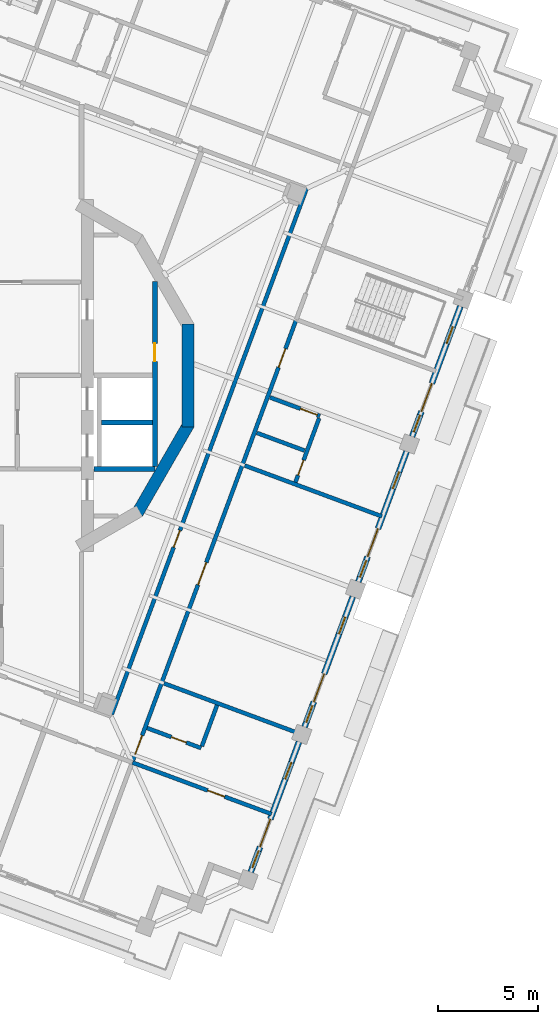
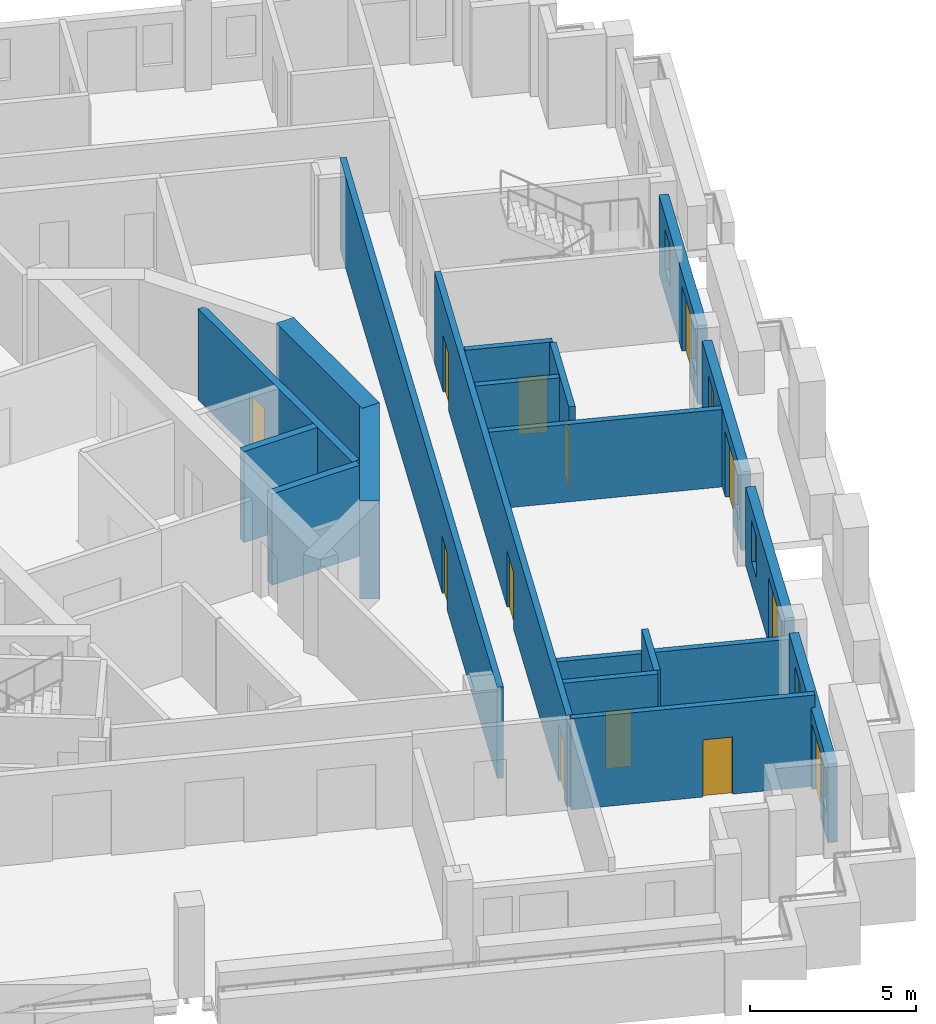
# One storey, part 6 of 18: 19 walls, 13 doors, 8 windows, 21 openings.
"""IFC4 building model written with IfcOpenShell, lengths in metres."""

from ifc_helpers import new_model, si_unit, direction, frame, frame_2d, origin, place, context, subcontext, project, spatial, rectangle, extrude, material, layer, layer_set, type_object, element, fill, save


model = new_model("IFC4")

# Units and contexts
model_context = context("Model", 3, precision=1e-05, world=origin(), true_north=direction((0.0, 1.0)))
body_context = subcontext(model_context, "Body", "Model", "MODEL_VIEW")
ifc_project = project(units=[si_unit("LENGTHUNIT", "METRE"), si_unit("AREAUNIT", "SQUARE_METRE"), si_unit("VOLUMEUNIT", "CUBIC_METRE"), si_unit("PLANEANGLEUNIT", "RADIAN"), si_unit("MASSUNIT", "GRAM", prefix="KILO")], contexts=[model_context])

# Site, building, storey
site_placement = place(None, origin())
site = spatial("IfcSite", under=ifc_project, at=site_placement, CompositionType="ELEMENT")
building_placement = place(site_placement, origin())
building = spatial("IfcBuilding", under=site, at=building_placement, Name="Cantera Rosa Tower", CompositionType="ELEMENT")
storey_placement = place(building_placement, frame((0.0, 0.0, 316.89990234375)))
storey = spatial("IfcBuildingStorey", under=building, at=storey_placement, Name="L70", CompositionType="ELEMENT", Elevation=316.89990234375)

# Wall, opening, door
ifc_material_1 = material(Name="Gypsum board partition")
ifc_layer_1 = layer(ifc_material_1, 0.199951171875)
ifc_layer_set_1 = layer_set([ifc_layer_1], Name="CORRIDOR WALL 200 H3350")
wall_type_1 = type_object("IfcWallType", Name="CORRIDOR WALL 200 H3350", PredefinedType="PARTITIONING", material=ifc_layer_set_1)
wall_1_placement = place(storey_placement, frame((5.526123046875, -17.031494140625, 0.0), z_axis=(0.0, 0.0, 1.0), x_axis=(0.347486069264, 0.937685145274, 0.0)))
wall_1 = element("IfcWall", 1, at=wall_1_placement, inside=storey, type_object=wall_type_1, Name="CORRIDOR WALL L70-074", PredefinedType="PARTITIONING", context=body_context, shape_type="SweptSolid", body=[
    extrude(rectangle(XDim=28.199951171875, YDim=0.199951171875, at=frame_2d((14.10009765625, 0.0))), origin(), (0.0, 0.0, 1.0), 3.35009765625),
])
opening_1_placement = place(wall_1_placement, frame((8.96240234375, 0.0, 0.0)))
opening_1 = element("IfcOpeningElement", 2, at=opening_1_placement, cuts=wall_1, Name="Opening L70-007", PredefinedType="OPENING", context=body_context, shape_type="SweptSolid", body=[
    extrude(rectangle(XDim=0.89990234375, YDim=2.10009765625, at=frame_2d((0.449951171875, 1.050048828125))), frame((0.0, 0.10986328125, 0.0), z_axis=(0.0, -1.0, 0.0), x_axis=(1.0, 0.0, 0.0)), (0.0, 0.0, 1.0), 0.219970703125),
])
ifc_material_2 = material(Name="Timber door leaf", Category="wood")
door_type_1 = type_object("IfcDoorType", Name="SERVICE DOOR 900x2100", OperationType="NOTDEFINED", PredefinedType="DOOR", material=ifc_material_2)
door_1_placement = place(opening_1_placement, origin())
door_1 = element("IfcDoor", 3, at=door_1_placement, inside=storey, type_object=door_type_1, Name="DOOR L70-007", OperationType="NOTDEFINED", OverallHeight=2.10009765625, OverallWidth=0.89990234375, PredefinedType="DOOR", context=body_context, shape_type="SweptSolid", body=[
    extrude(rectangle(XDim=0.89990234375, YDim=2.10009765625, at=frame_2d((0.449951171875, 1.050048828125))), frame((0.0, 0.02490234375, 0.0), z_axis=(0.0, -1.0, 0.0), x_axis=(1.0, 0.0, 0.0)), (0.0, 0.0, 1.0), 0.050048828125),
])
fill(opening_1, door_1)

# Wall, openings, doors
wall_2_placement = place(storey_placement, frame((6.588623046875, -19.3447265625, 0.0), z_axis=(0.0, 0.0, 1.0), x_axis=(0.347480582136, 0.937687178668, 0.0)))
wall_2 = element("IfcWall", 4, at=wall_2_placement, inside=storey, type_object=wall_type_1, Name="CORRIDOR WALL L70-079", PredefinedType="PARTITIONING", context=body_context, shape_type="SweptSolid", body=[
    extrude(rectangle(XDim=23.6298828125, YDim=0.199951171875, at=frame_2d((11.81494140625, 0.0))), origin(), (0.0, 0.0, 1.0), 3.35009765625),
])
opening_2_placement = place(wall_2_placement, frame((9.4150390625, 0.0, 0.0)))
opening_2 = element("IfcOpeningElement", 5, at=opening_2_placement, cuts=wall_2, Name="Opening L70-039", PredefinedType="OPENING", context=body_context, shape_type="SweptSolid", body=[
    extrude(rectangle(XDim=1.199951171875, YDim=2.10009765625, at=frame_2d((0.60009765625, 1.050048828125))), frame((0.0, 0.10986328125, 0.0), z_axis=(0.0, -1.0, 0.0), x_axis=(1.0, 0.0, 0.0)), (0.0, 0.0, 1.0), 0.219970703125),
])
opening_3_placement = place(wall_2_placement, frame((21.06494140625, 0.0, 0.0)))
opening_3 = element("IfcOpeningElement", 6, at=opening_3_placement, cuts=wall_2, Name="Opening L70-040", PredefinedType="OPENING", context=body_context, shape_type="SweptSolid", body=[
    extrude(rectangle(XDim=1.0, YDim=2.10009765625, at=frame_2d((0.5, 1.050048828125))), frame((0.0, 0.10986328125, 0.0), z_axis=(0.0, -1.0, 0.0), x_axis=(1.0, 0.0, 0.0)), (0.0, 0.0, 1.0), 0.219970703125),
])
opening_4_placement = place(wall_2_placement, frame((0.340087890625, 0.0, 0.0)))
opening_4 = element("IfcOpeningElement", 7, at=opening_4_placement, cuts=wall_2, Name="Opening L70-043", PredefinedType="OPENING", context=body_context, shape_type="SweptSolid", body=[
    extrude(rectangle(XDim=1.0, YDim=2.10009765625, at=frame_2d((0.5, 1.050048828125))), frame((0.0, 0.10986328125, 0.0), z_axis=(0.0, -1.0, 0.0), x_axis=(1.0, 0.0, 0.0)), (0.0, 0.0, 1.0), 0.219970703125),
])
ifc_material_3 = material(Name="Timber door leaf", Category="wood")
door_type_2 = type_object("IfcDoorType", Name="ENTRANCE DOOR 1000x2100", OperationType="NOTDEFINED", PredefinedType="DOOR", material=ifc_material_3)
door_2_placement = place(opening_3_placement, origin())
door_2 = element("IfcDoor", 8, at=door_2_placement, inside=storey, type_object=door_type_2, Name="DOOR L70-040", OperationType="NOTDEFINED", OverallHeight=2.10009765625, OverallWidth=1.0, PredefinedType="DOOR", context=body_context, shape_type="SweptSolid", body=[
    extrude(rectangle(XDim=1.0, YDim=2.10009765625, at=frame_2d((0.5, 1.050048828125))), frame((0.0, 0.02490234375, 0.0), z_axis=(0.0, -1.0, 0.0), x_axis=(1.0, 0.0, 0.0)), (0.0, 0.0, 1.0), 0.050048828125),
])
fill(opening_3, door_2)
door_3_placement = place(opening_4_placement, origin())
door_3 = element("IfcDoor", 9, at=door_3_placement, inside=storey, type_object=door_type_2, Name="DOOR L70-043", OperationType="NOTDEFINED", OverallHeight=2.10009765625, OverallWidth=1.0, PredefinedType="DOOR", context=body_context, shape_type="SweptSolid", body=[
    extrude(rectangle(XDim=1.0, YDim=2.10009765625, at=frame_2d((0.5, 1.050048828125))), frame((0.0, 0.02490234375, 0.0), z_axis=(0.0, -1.0, 0.0), x_axis=(1.0, 0.0, 0.0)), (0.0, 0.0, 1.0), 0.050048828125),
])
fill(opening_4, door_3)
ifc_material_4 = material(Name="Timber door leaf", Category="wood")
door_type_3 = type_object("IfcDoorType", Name="ROOM DOOR 1200x2100", OperationType="NOTDEFINED", PredefinedType="DOOR", material=ifc_material_4)
door_4_placement = place(opening_2_placement, origin())
door_4 = element("IfcDoor", 10, at=door_4_placement, inside=storey, type_object=door_type_3, Name="DOOR L70-039", OperationType="NOTDEFINED", OverallHeight=2.10009765625, OverallWidth=1.199951171875, PredefinedType="DOOR", context=body_context, shape_type="SweptSolid", body=[
    extrude(rectangle(XDim=1.199951171875, YDim=2.10009765625, at=frame_2d((0.60009765625, 1.050048828125))), frame((0.0, 0.02490234375, 0.0), z_axis=(0.0, -1.0, 0.0), x_axis=(1.0, 0.0, 0.0)), (0.0, 0.0, 1.0), 0.050048828125),
])
fill(opening_2, door_4)

# Wall, openings, windows, door
ifc_material_5 = material(Name="Hollow clay masonry with cantera stone cladding", Category="masonry")
ifc_layer_2 = layer(ifc_material_5, 0.300048828125)
ifc_layer_set_2 = layer_set([ifc_layer_2], Name="EW-LOGGIA 300 H2890")
wall_type_2 = type_object("IfcWallType", Name="EW-LOGGIA 300 H2890", PredefinedType="SOLIDWALL", material=ifc_layer_set_2)
wall_3_placement = place(storey_placement, frame((12.50927734375, -24.95166015625, 0.0), z_axis=(0.0, 0.0, 1.0), x_axis=(0.347490919506, 0.937683347864, 0.0)))
wall_3 = element("IfcWall", 11, at=wall_3_placement, inside=storey, type_object=wall_type_2, Name="EN-L70-W20", PredefinedType="SOLIDWALL", context=body_context, shape_type="SweptSolid", body=[
    extrude(rectangle(XDim=6.980224609375, YDim=0.300048828125, at=frame_2d((3.490234375, 0.0))), origin(), (0.0, 0.0, 1.0), 2.89013671875),
])
opening_5_placement = place(wall_3_placement, frame((0.2451171875, 0.0, 0.89990234375)))
opening_5 = element("IfcOpeningElement", 12, at=opening_5_placement, cuts=wall_3, Name="Opening L70-W34", PredefinedType="OPENING", context=body_context, shape_type="SweptSolid", body=[
    extrude(rectangle(XDim=0.89990234375, YDim=1.5, at=frame_2d((0.449951171875, 0.75))), frame((0.0, 0.159912109375, 0.0), z_axis=(0.0, -1.0, 0.0), x_axis=(1.0, 0.0, 0.0)), (0.0, 0.0, 1.0), 0.320068359375),
])
opening_6_placement = place(wall_3_placement, frame((1.344970703125, 0.0, 0.0)))
opening_6 = element("IfcOpeningElement", 13, at=opening_6_placement, cuts=wall_3, Name="Opening L70-TD35", PredefinedType="OPENING", context=body_context, shape_type="SweptSolid", body=[
    extrude(rectangle(XDim=1.5, YDim=2.39990234375, at=frame_2d((0.75, 1.199951171875))), frame((0.0, 0.159912109375, 0.0), z_axis=(0.0, -1.0, 0.0), x_axis=(1.0, 0.0, 0.0)), (0.0, 0.0, 1.0), 0.320068359375),
])
opening_7_placement = place(wall_3_placement, frame((4.985107421875, 0.0, 0.89990234375)))
opening_7 = element("IfcOpeningElement", 14, at=opening_7_placement, cuts=wall_3, Name="Opening L70-W36", PredefinedType="OPENING", context=body_context, shape_type="SweptSolid", body=[
    extrude(rectangle(XDim=0.89990234375, YDim=1.5, at=frame_2d((0.449951171875, 0.75))), frame((0.0, 0.159912109375, 0.0), z_axis=(0.0, -1.0, 0.0), x_axis=(1.0, 0.0, 0.0)), (0.0, 0.0, 1.0), 0.320068359375),
])
ifc_material_6 = material(Name="Aluminium frame with clear glass", Category="aluminium")
window_type = type_object("IfcWindowType", Name="Residential window 900x1500", PartitioningType="SINGLE_PANEL", PredefinedType="WINDOW", material=ifc_material_6)
window_1_placement = place(opening_5_placement, origin())
window_1 = element("IfcWindow", 15, at=window_1_placement, inside=storey, type_object=window_type, Name="WINDOW L70-W34", OverallHeight=1.5, OverallWidth=0.89990234375, PartitioningType="SINGLE_PANEL", PredefinedType="WINDOW", context=body_context, shape_type="SweptSolid", body=[
    extrude(rectangle(XDim=0.89990234375, YDim=1.5, at=frame_2d((0.449951171875, 0.75))), frame((0.0, 0.030029296875, 0.0), z_axis=(0.0, -1.0, 0.0), x_axis=(1.0, 0.0, 0.0)), (0.0, 0.0, 1.0), 0.06005859375),
])
fill(opening_5, window_1)
window_2_placement = place(opening_7_placement, origin())
window_2 = element("IfcWindow", 16, at=window_2_placement, inside=storey, type_object=window_type, Name="WINDOW L70-W36", OverallHeight=1.5, OverallWidth=0.89990234375, PartitioningType="SINGLE_PANEL", PredefinedType="WINDOW", context=body_context, shape_type="SweptSolid", body=[
    extrude(rectangle(XDim=0.89990234375, YDim=1.5, at=frame_2d((0.449951171875, 0.75))), frame((0.0, 0.030029296875, 0.0), z_axis=(0.0, -1.0, 0.0), x_axis=(1.0, 0.0, 0.0)), (0.0, 0.0, 1.0), 0.06005859375),
])
fill(opening_7, window_2)
ifc_material_7 = material(Name="Aluminium frame with clear glass", Category="aluminium")
door_type_4 = type_object("IfcDoorType", Name="TD-R 1500x2400", OperationType="NOTDEFINED", PredefinedType="DOOR", material=ifc_material_7)
door_5_placement = place(opening_6_placement, origin())
door_5 = element("IfcDoor", 17, at=door_5_placement, inside=storey, type_object=door_type_4, Name="LOGGIA DOOR L70-TD35", OperationType="SLIDING_TO_LEFT", OverallHeight=2.39990234375, OverallWidth=1.5, PredefinedType="DOOR", context=body_context, shape_type="SweptSolid", body=[
    extrude(rectangle(XDim=1.5, YDim=2.39990234375, at=frame_2d((0.75, 1.199951171875))), frame((0.0, 0.02490234375, 0.0), z_axis=(0.0, -1.0, 0.0), x_axis=(1.0, 0.0, 0.0)), (0.0, 0.0, 1.0), 0.050048828125),
])
fill(opening_6, door_5)

wall_4_placement = place(storey_placement, frame((15.212646484375, -17.65625, 0.0), z_axis=(0.0, 0.0, 1.0), x_axis=(0.347502316452, 0.937679124253, 0.0)))
wall_4 = element("IfcWall", 18, at=wall_4_placement, inside=storey, type_object=wall_type_2, Name="EN-L70-W21", PredefinedType="SOLIDWALL", context=body_context, shape_type="SweptSolid", body=[
    extrude(rectangle(XDim=6.97998046875, YDim=0.300048828125, at=frame_2d((3.489990234375, 0.0))), origin(), (0.0, 0.0, 1.0), 2.89013671875),
])
opening_8_placement = place(wall_4_placement, frame((0.2451171875, 0.0, 0.89990234375)))
opening_8 = element("IfcOpeningElement", 19, at=opening_8_placement, cuts=wall_4, Name="Opening L70-W37", PredefinedType="OPENING", context=body_context, shape_type="SweptSolid", body=[
    extrude(rectangle(XDim=0.89990234375, YDim=1.5, at=frame_2d((0.449951171875, 0.75))), frame((0.0, 0.159912109375, 0.0), z_axis=(0.0, -1.0, 0.0), x_axis=(1.0, 0.0, 0.0)), (0.0, 0.0, 1.0), 0.320068359375),
])
opening_9_placement = place(wall_4_placement, frame((1.344970703125, 0.0, 0.0)))
opening_9 = element("IfcOpeningElement", 20, at=opening_9_placement, cuts=wall_4, Name="Opening L70-TD38", PredefinedType="OPENING", context=body_context, shape_type="SweptSolid", body=[
    extrude(rectangle(XDim=1.5, YDim=2.39990234375, at=frame_2d((0.75, 1.199951171875))), frame((0.0, 0.159912109375, 0.0), z_axis=(0.0, -1.0, 0.0), x_axis=(1.0, 0.0, 0.0)), (0.0, 0.0, 1.0), 0.320068359375),
])
opening_10_placement = place(wall_4_placement, frame((4.985107421875, 0.0, 0.89990234375)))
opening_10 = element("IfcOpeningElement", 21, at=opening_10_placement, cuts=wall_4, Name="Opening L70-W39", PredefinedType="OPENING", context=body_context, shape_type="SweptSolid", body=[
    extrude(rectangle(XDim=0.89990234375, YDim=1.5, at=frame_2d((0.449951171875, 0.75))), frame((0.0, 0.159912109375, 0.0), z_axis=(0.0, -1.0, 0.0), x_axis=(1.0, 0.0, 0.0)), (0.0, 0.0, 1.0), 0.320068359375),
])
window_3_placement = place(opening_8_placement, origin())
window_3 = element("IfcWindow", 22, at=window_3_placement, inside=storey, type_object=window_type, Name="WINDOW L70-W37", OverallHeight=1.5, OverallWidth=0.89990234375, PartitioningType="SINGLE_PANEL", PredefinedType="WINDOW", context=body_context, shape_type="SweptSolid", body=[
    extrude(rectangle(XDim=0.89990234375, YDim=1.5, at=frame_2d((0.449951171875, 0.75))), frame((0.0, 0.030029296875, 0.0), z_axis=(0.0, -1.0, 0.0), x_axis=(1.0, 0.0, 0.0)), (0.0, 0.0, 1.0), 0.06005859375),
])
fill(opening_8, window_3)
window_4_placement = place(opening_10_placement, origin())
window_4 = element("IfcWindow", 23, at=window_4_placement, inside=storey, type_object=window_type, Name="WINDOW L70-W39", OverallHeight=1.5, OverallWidth=0.89990234375, PartitioningType="SINGLE_PANEL", PredefinedType="WINDOW", context=body_context, shape_type="SweptSolid", body=[
    extrude(rectangle(XDim=0.89990234375, YDim=1.5, at=frame_2d((0.449951171875, 0.75))), frame((0.0, 0.030029296875, 0.0), z_axis=(0.0, -1.0, 0.0), x_axis=(1.0, 0.0, 0.0)), (0.0, 0.0, 1.0), 0.06005859375),
])
fill(opening_10, window_4)
door_6_placement = place(opening_9_placement, origin())
door_6 = element("IfcDoor", 24, at=door_6_placement, inside=storey, type_object=door_type_4, Name="LOGGIA DOOR L70-TD38", OperationType="SLIDING_TO_LEFT", OverallHeight=2.39990234375, OverallWidth=1.5, PredefinedType="DOOR", context=body_context, shape_type="SweptSolid", body=[
    extrude(rectangle(XDim=1.5, YDim=2.39990234375, at=frame_2d((0.75, 1.199951171875))), frame((0.0, 0.02490234375, 0.0), z_axis=(0.0, -1.0, 0.0), x_axis=(1.0, 0.0, 0.0)), (0.0, 0.0, 1.0), 0.050048828125),
])
fill(opening_9, door_6)

wall_5_placement = place(storey_placement, frame((17.916015625, -10.361083984375, 0.0), z_axis=(0.0, 0.0, 1.0), x_axis=(0.347502316452, 0.937679124253, 0.0)))
wall_5 = element("IfcWall", 25, at=wall_5_placement, inside=storey, type_object=wall_type_2, Name="EN-L70-W22", PredefinedType="SOLIDWALL", context=body_context, shape_type="SweptSolid", body=[
    extrude(rectangle(XDim=6.97998046875, YDim=0.300048828125, at=frame_2d((3.489990234375, 0.0))), origin(), (0.0, 0.0, 1.0), 2.89013671875),
])
opening_11_placement = place(wall_5_placement, frame((0.2451171875, 0.0, 0.89990234375)))
opening_11 = element("IfcOpeningElement", 26, at=opening_11_placement, cuts=wall_5, Name="Opening L70-W40", PredefinedType="OPENING", context=body_context, shape_type="SweptSolid", body=[
    extrude(rectangle(XDim=0.89990234375, YDim=1.5, at=frame_2d((0.449951171875, 0.75))), frame((0.0, 0.159912109375, 0.0), z_axis=(0.0, -1.0, 0.0), x_axis=(1.0, 0.0, 0.0)), (0.0, 0.0, 1.0), 0.320068359375),
])
opening_12_placement = place(wall_5_placement, frame((1.344970703125, 0.0, 0.0)))
opening_12 = element("IfcOpeningElement", 27, at=opening_12_placement, cuts=wall_5, Name="Opening L70-TD41", PredefinedType="OPENING", context=body_context, shape_type="SweptSolid", body=[
    extrude(rectangle(XDim=1.5, YDim=2.39990234375, at=frame_2d((0.75, 1.199951171875))), frame((0.0, 0.159912109375, 0.0), z_axis=(0.0, -1.0, 0.0), x_axis=(1.0, 0.0, 0.0)), (0.0, 0.0, 1.0), 0.320068359375),
])
opening_13_placement = place(wall_5_placement, frame((4.985107421875, 0.0, 0.89990234375)))
opening_13 = element("IfcOpeningElement", 28, at=opening_13_placement, cuts=wall_5, Name="Opening L70-W42", PredefinedType="OPENING", context=body_context, shape_type="SweptSolid", body=[
    extrude(rectangle(XDim=0.89990234375, YDim=1.5, at=frame_2d((0.449951171875, 0.75))), frame((0.0, 0.159912109375, 0.0), z_axis=(0.0, -1.0, 0.0), x_axis=(1.0, 0.0, 0.0)), (0.0, 0.0, 1.0), 0.320068359375),
])
window_5_placement = place(opening_11_placement, origin())
window_5 = element("IfcWindow", 29, at=window_5_placement, inside=storey, type_object=window_type, Name="WINDOW L70-W40", OverallHeight=1.5, OverallWidth=0.89990234375, PartitioningType="SINGLE_PANEL", PredefinedType="WINDOW", context=body_context, shape_type="SweptSolid", body=[
    extrude(rectangle(XDim=0.89990234375, YDim=1.5, at=frame_2d((0.449951171875, 0.75))), frame((0.0, 0.030029296875, 0.0), z_axis=(0.0, -1.0, 0.0), x_axis=(1.0, 0.0, 0.0)), (0.0, 0.0, 1.0), 0.06005859375),
])
fill(opening_11, window_5)
window_6_placement = place(opening_13_placement, origin())
window_6 = element("IfcWindow", 30, at=window_6_placement, inside=storey, type_object=window_type, Name="WINDOW L70-W42", OverallHeight=1.5, OverallWidth=0.89990234375, PartitioningType="SINGLE_PANEL", PredefinedType="WINDOW", context=body_context, shape_type="SweptSolid", body=[
    extrude(rectangle(XDim=0.89990234375, YDim=1.5, at=frame_2d((0.449951171875, 0.75))), frame((0.0, 0.030029296875, 0.0), z_axis=(0.0, -1.0, 0.0), x_axis=(1.0, 0.0, 0.0)), (0.0, 0.0, 1.0), 0.06005859375),
])
fill(opening_13, window_6)
door_7_placement = place(opening_12_placement, origin())
door_7 = element("IfcDoor", 31, at=door_7_placement, inside=storey, type_object=door_type_4, Name="LOGGIA DOOR L70-TD41", OperationType="SLIDING_TO_LEFT", OverallHeight=2.39990234375, OverallWidth=1.5, PredefinedType="DOOR", context=body_context, shape_type="SweptSolid", body=[
    extrude(rectangle(XDim=1.5, YDim=2.39990234375, at=frame_2d((0.75, 1.199951171875))), frame((0.0, 0.02490234375, 0.0), z_axis=(0.0, -1.0, 0.0), x_axis=(1.0, 0.0, 0.0)), (0.0, 0.0, 1.0), 0.050048828125),
])
fill(opening_12, door_7)

wall_6_placement = place(storey_placement, frame((20.61962890625, -3.06591796875, 0.0), z_axis=(0.0, 0.0, 1.0), x_axis=(0.347471562124, 0.937690521182, 0.0)))
wall_6 = element("IfcWall", 32, at=wall_6_placement, inside=storey, type_object=wall_type_2, Name="EN-L70-W23", PredefinedType="SOLIDWALL", context=body_context, shape_type="SweptSolid", body=[
    extrude(rectangle(XDim=6.979736328125, YDim=0.300048828125, at=frame_2d((3.48974609375, 0.0))), origin(), (0.0, 0.0, 1.0), 2.89013671875),
])
opening_14_placement = place(wall_6_placement, frame((0.2451171875, 0.0, 0.89990234375)))
opening_14 = element("IfcOpeningElement", 33, at=opening_14_placement, cuts=wall_6, Name="Opening L70-W43", PredefinedType="OPENING", context=body_context, shape_type="SweptSolid", body=[
    extrude(rectangle(XDim=0.89990234375, YDim=1.5, at=frame_2d((0.449951171875, 0.75))), frame((0.0, 0.159912109375, 0.0), z_axis=(0.0, -1.0, 0.0), x_axis=(1.0, 0.0, 0.0)), (0.0, 0.0, 1.0), 0.320068359375),
])
opening_15_placement = place(wall_6_placement, frame((1.344970703125, 0.0, 0.0)))
opening_15 = element("IfcOpeningElement", 34, at=opening_15_placement, cuts=wall_6, Name="Opening L70-TD44", PredefinedType="OPENING", context=body_context, shape_type="SweptSolid", body=[
    extrude(rectangle(XDim=1.5, YDim=2.39990234375, at=frame_2d((0.75, 1.199951171875))), frame((0.0, 0.159912109375, 0.0), z_axis=(0.0, -1.0, 0.0), x_axis=(1.0, 0.0, 0.0)), (0.0, 0.0, 1.0), 0.320068359375),
])
opening_16_placement = place(wall_6_placement, frame((4.985107421875, 0.0, 0.89990234375)))
opening_16 = element("IfcOpeningElement", 35, at=opening_16_placement, cuts=wall_6, Name="Opening L70-W45", PredefinedType="OPENING", context=body_context, shape_type="SweptSolid", body=[
    extrude(rectangle(XDim=0.89990234375, YDim=1.5, at=frame_2d((0.449951171875, 0.75))), frame((0.0, 0.159912109375, 0.0), z_axis=(0.0, -1.0, 0.0), x_axis=(1.0, 0.0, 0.0)), (0.0, 0.0, 1.0), 0.320068359375),
])
window_7_placement = place(opening_14_placement, origin())
window_7 = element("IfcWindow", 36, at=window_7_placement, inside=storey, type_object=window_type, Name="WINDOW L70-W43", OverallHeight=1.5, OverallWidth=0.89990234375, PartitioningType="SINGLE_PANEL", PredefinedType="WINDOW", context=body_context, shape_type="SweptSolid", body=[
    extrude(rectangle(XDim=0.89990234375, YDim=1.5, at=frame_2d((0.449951171875, 0.75))), frame((0.0, 0.030029296875, 0.0), z_axis=(0.0, -1.0, 0.0), x_axis=(1.0, 0.0, 0.0)), (0.0, 0.0, 1.0), 0.06005859375),
])
fill(opening_14, window_7)
window_8_placement = place(opening_16_placement, origin())
window_8 = element("IfcWindow", 37, at=window_8_placement, inside=storey, type_object=window_type, Name="WINDOW L70-W45", OverallHeight=1.5, OverallWidth=0.89990234375, PartitioningType="SINGLE_PANEL", PredefinedType="WINDOW", context=body_context, shape_type="SweptSolid", body=[
    extrude(rectangle(XDim=0.89990234375, YDim=1.5, at=frame_2d((0.449951171875, 0.75))), frame((0.0, 0.030029296875, 0.0), z_axis=(0.0, -1.0, 0.0), x_axis=(1.0, 0.0, 0.0)), (0.0, 0.0, 1.0), 0.06005859375),
])
fill(opening_16, window_8)
door_8_placement = place(opening_15_placement, origin())
door_8 = element("IfcDoor", 38, at=door_8_placement, inside=storey, type_object=door_type_4, Name="LOGGIA DOOR L70-TD44", OperationType="SLIDING_TO_LEFT", OverallHeight=2.39990234375, OverallWidth=1.5, PredefinedType="DOOR", context=body_context, shape_type="SweptSolid", body=[
    extrude(rectangle(XDim=1.5, YDim=2.39990234375, at=frame_2d((0.75, 1.199951171875))), frame((0.0, 0.02490234375, 0.0), z_axis=(0.0, -1.0, 0.0), x_axis=(1.0, 0.0, 0.0)), (0.0, 0.0, 1.0), 0.050048828125),
])
fill(opening_15, door_8)

# Wall, opening, door
ifc_material_8 = material(Name="Gypsum board partition")
ifc_layer_3 = layer(ifc_material_8, 0.199951171875)
ifc_layer_set_3 = layer_set([ifc_layer_3], Name="PARTITION 200 H3350")
wall_type_3 = type_object("IfcWallType", Name="PARTITION 200 H3350", PredefinedType="PARTITIONING", material=ifc_layer_set_3)
wall_7_placement = place(storey_placement, frame((6.572509765625, -19.445556640625, 0.0), z_axis=(0.0, 0.0, 1.0), x_axis=(0.93769301125, -0.347464842325, 0.0)))
wall_7 = element("IfcWall", 39, at=wall_7_placement, inside=storey, type_object=wall_type_3, Name="PARTITION L70-078", PredefinedType="PARTITIONING", context=body_context, shape_type="SweptSolid", body=[
    extrude(rectangle(XDim=7.449951171875, YDim=0.199951171875, at=frame_2d((3.72509765625, 0.0))), origin(), (0.0, 0.0, 1.0), 3.35009765625),
])
opening_17_placement = place(wall_7_placement, frame((4.030029296875, 0.0, 0.0)))
opening_17 = element("IfcOpeningElement", 40, at=opening_17_placement, cuts=wall_7, Name="Opening L70-045", PredefinedType="OPENING", context=body_context, shape_type="SweptSolid", body=[
    extrude(rectangle(XDim=0.89990234375, YDim=2.10009765625, at=frame_2d((0.449951171875, 1.050048828125))), frame((0.0, 0.10986328125, 0.0), z_axis=(0.0, -1.0, 0.0), x_axis=(1.0, 0.0, 0.0)), (0.0, 0.0, 1.0), 0.219970703125),
])
ifc_material_9 = material(Name="Timber door leaf", Category="wood")
door_type_5 = type_object("IfcDoorType", Name="ROOM DOOR 900x2100", OperationType="NOTDEFINED", PredefinedType="DOOR", material=ifc_material_9)
door_9_placement = place(opening_17_placement, origin())
door_9 = element("IfcDoor", 41, at=door_9_placement, inside=storey, type_object=door_type_5, Name="DOOR L70-045", OperationType="NOTDEFINED", OverallHeight=2.10009765625, OverallWidth=0.89990234375, PredefinedType="DOOR", context=body_context, shape_type="SweptSolid", body=[
    extrude(rectangle(XDim=0.89990234375, YDim=2.10009765625, at=frame_2d((0.449951171875, 1.050048828125))), frame((0.0, 0.02490234375, 0.0), z_axis=(0.0, -1.0, 0.0), x_axis=(1.0, 0.0, 0.0)), (0.0, 0.0, 1.0), 0.050048828125),
])
fill(opening_17, door_9)

wall_8_placement = place(storey_placement, frame((10.020263671875, -18.71826171875, 0.0), z_axis=(0.0, 0.0, 1.0), x_axis=(-0.937681724156, 0.347495300953, 0.0)))
wall_8 = element("IfcWall", 42, at=wall_8_placement, inside=storey, type_object=wall_type_3, Name="PARTITION L70-085", PredefinedType="PARTITIONING", context=body_context, shape_type="SweptSolid", body=[
    extrude(rectangle(XDim=2.900146484375, YDim=0.199951171875, at=frame_2d((1.4501953125, 0.0))), origin(), (0.0, 0.0, 1.0), 3.35009765625),
])
opening_18_placement = place(wall_8_placement, frame((0.800048828125, 0.0, 0.0)))
opening_18 = element("IfcOpeningElement", 43, at=opening_18_placement, cuts=wall_8, Name="Opening L70-044", PredefinedType="OPENING", context=body_context, shape_type="SweptSolid", body=[
    extrude(rectangle(XDim=0.800048828125, YDim=2.10009765625, at=frame_2d((0.39990234375, 1.050048828125))), frame((0.0, 0.10986328125, 0.0), z_axis=(0.0, -1.0, 0.0), x_axis=(1.0, 0.0, 0.0)), (0.0, 0.0, 1.0), 0.219970703125),
])
ifc_material_10 = material(Name="Timber door leaf", Category="wood")
door_type_6 = type_object("IfcDoorType", Name="BATHROOM DOOR 800x2100", OperationType="NOTDEFINED", PredefinedType="DOOR", material=ifc_material_10)
door_10_placement = place(opening_18_placement, origin())
door_10 = element("IfcDoor", 44, at=door_10_placement, inside=storey, type_object=door_type_6, Name="DOOR L70-044", OperationType="NOTDEFINED", OverallHeight=2.10009765625, OverallWidth=0.800048828125, PredefinedType="DOOR", context=body_context, shape_type="SweptSolid", body=[
    extrude(rectangle(XDim=0.800048828125, YDim=2.10009765625, at=frame_2d((0.39990234375, 1.050048828125))), frame((0.0, 0.02490234375, 0.0), z_axis=(0.0, -1.0, 0.0), x_axis=(1.0, 0.0, 0.0)), (0.0, 0.0, 1.0), 0.050048828125),
])
fill(opening_18, door_10)

# Walls
wall_9_placement = place(storey_placement, frame((10.8193359375, -16.5615234375, 0.0), z_axis=(0.0, 0.0, 1.0), x_axis=(-0.347448078893, -0.937699222818, 0.0)))
element("IfcWall", 45, at=wall_9_placement, inside=storey, type_object=wall_type_3, Name="PARTITION L70-087", PredefinedType="PARTITIONING", context=body_context, shape_type="SweptSolid", body=[
    extrude(rectangle(XDim=2.199951171875, YDim=0.199951171875, at=frame_2d((1.10009765625, 0.0))), origin(), (0.0, 0.0, 1.0), 3.35009765625),
])
wall_10_placement = place(storey_placement, frame((12.81689453125, -2.88330078125, 0.0), z_axis=(0.0, 0.0, 1.0), x_axis=(0.937701583571, -0.347441707582, 0.0)))
element("IfcWall", 46, at=wall_10_placement, inside=storey, type_object=wall_type_3, Name="PARTITION L70-090", PredefinedType="PARTITIONING", context=body_context, shape_type="SweptSolid", body=[
    extrude(rectangle(XDim=2.559814453125, YDim=0.199951171875, at=frame_2d((1.27978515625, 0.0))), origin(), (0.0, 0.0, 1.0), 3.35009765625),
])

# Wall, opening, door
wall_11_placement = place(storey_placement, frame((13.47705078125, -1.1015625, 0.0), z_axis=(0.0, 0.0, 1.0), x_axis=(0.937666318029, -0.347536870036, 0.0)))
wall_11 = element("IfcWall", 47, at=wall_11_placement, inside=storey, type_object=wall_type_3, Name="PARTITION L70-091", PredefinedType="PARTITIONING", context=body_context, shape_type="SweptSolid", body=[
    extrude(rectangle(XDim=2.679931640625, YDim=0.199951171875, at=frame_2d((1.33984375, 0.0))), origin(), (0.0, 0.0, 1.0), 3.35009765625),
])
opening_19_placement = place(wall_11_placement, frame((1.6298828125, 0.0, 0.0)))
opening_19 = element("IfcOpeningElement", 48, at=opening_19_placement, cuts=wall_11, Name="Opening L70-042", PredefinedType="OPENING", context=body_context, shape_type="SweptSolid", body=[
    extrude(rectangle(XDim=0.89990234375, YDim=2.10009765625, at=frame_2d((0.449951171875, 1.050048828125))), frame((0.0, 0.10986328125, 0.0), z_axis=(0.0, -1.0, 0.0), x_axis=(1.0, 0.0, 0.0)), (0.0, 0.0, 1.0), 0.219970703125),
])
door_11_placement = place(opening_19_placement, origin())
door_11 = element("IfcDoor", 49, at=door_11_placement, inside=storey, type_object=door_type_5, Name="DOOR L70-042", OperationType="NOTDEFINED", OverallHeight=2.10009765625, OverallWidth=0.89990234375, PredefinedType="DOOR", context=body_context, shape_type="SweptSolid", body=[
    extrude(rectangle(XDim=0.89990234375, YDim=2.10009765625, at=frame_2d((0.449951171875, 1.050048828125))), frame((0.0, 0.02490234375, 0.0), z_axis=(0.0, -1.0, 0.0), x_axis=(1.0, 0.0, 0.0)), (0.0, 0.0, 1.0), 0.050048828125),
])
fill(opening_19, door_11)

wall_12_placement = place(storey_placement, frame((15.9482421875, -2.1455078125, 0.0), z_axis=(0.0, 0.0, 1.0), x_axis=(-0.347485895919, -0.937685209512, 0.0)))
wall_12 = element("IfcWall", 50, at=wall_12_placement, inside=storey, type_object=wall_type_3, Name="PARTITION L70-097", PredefinedType="PARTITIONING", context=body_context, shape_type="SweptSolid", body=[
    extrude(rectangle(XDim=3.429931640625, YDim=0.199951171875, at=frame_2d((1.71484375, 0.0))), origin(), (0.0, 0.0, 1.0), 3.35009765625),
])
opening_20_placement = place(wall_12_placement, frame((2.2548828125, 0.0, 0.0)))
opening_20 = element("IfcOpeningElement", 51, at=opening_20_placement, cuts=wall_12, Name="Opening L70-041", PredefinedType="OPENING", context=body_context, shape_type="SweptSolid", body=[
    extrude(rectangle(XDim=0.800048828125, YDim=2.10009765625, at=frame_2d((0.39990234375, 1.050048828125))), frame((0.0, 0.10986328125, 0.0), z_axis=(0.0, -1.0, 0.0), x_axis=(1.0, 0.0, 0.0)), (0.0, 0.0, 1.0), 0.219970703125),
])
door_12_placement = place(opening_20_placement, origin())
door_12 = element("IfcDoor", 52, at=door_12_placement, inside=storey, type_object=door_type_6, Name="DOOR L70-041", OperationType="NOTDEFINED", OverallHeight=2.10009765625, OverallWidth=0.800048828125, PredefinedType="DOOR", context=body_context, shape_type="SweptSolid", body=[
    extrude(rectangle(XDim=0.800048828125, YDim=2.10009765625, at=frame_2d((0.39990234375, 1.050048828125))), frame((0.0, 0.02490234375, 0.0), z_axis=(0.0, -1.0, 0.0), x_axis=(1.0, 0.0, 0.0)), (0.0, 0.0, 1.0), 0.050048828125),
])
fill(opening_20, door_12)

# Walls
ifc_material_11 = material(Name="Gypsum board partition")
ifc_layer_4 = layer(ifc_material_11, 0.199951171875)
ifc_layer_set_4 = layer_set([ifc_layer_4], Name="PARTY WALL 200 H2450")
wall_type_4 = type_object("IfcWallType", Name="PARTY WALL 200 H2450", PredefinedType="PARTITIONING", material=ifc_layer_set_4)
wall_13_placement = place(storey_placement, frame((15.045654296875, -18.02099609375, 0.0), z_axis=(0.0, 0.0, 1.0), x_axis=(-0.937689847803, 0.347473379308, 0.0)))
element("IfcWall", 53, at=wall_13_placement, inside=storey, type_object=wall_type_4, Name="PARTY WALL L70-095", PredefinedType="PARTITIONING", context=body_context, shape_type="SweptSolid", body=[
    extrude(rectangle(XDim=7.35009765625, YDim=0.199951171875, at=frame_2d((3.675048828125, 0.0))), origin(), (0.0, 0.0, 1.0), 2.4501953125),
])
ifc_material_12 = material(Name="Gypsum board partition")
ifc_layer_5 = layer(ifc_material_12, 0.199951171875)
ifc_layer_set_5 = layer_set([ifc_layer_5], Name="PARTY WALL 200 H2850")
wall_type_5 = type_object("IfcWallType", Name="PARTY WALL 200 H2850", PredefinedType="PARTITIONING", material=ifc_layer_set_5)
wall_14_placement = place(storey_placement, frame((12.208740234375, -4.524169921875, 0.0), z_axis=(0.0, 0.0, 1.0), x_axis=(0.937685837181, -0.347484202159, 0.0)))
element("IfcWall", 54, at=wall_14_placement, inside=storey, type_object=wall_type_5, Name="PARTY WALL L70-089", PredefinedType="PARTITIONING", context=body_context, shape_type="SweptSolid", body=[
    extrude(rectangle(XDim=7.349853515625, YDim=0.199951171875, at=frame_2d((3.6748046875, 0.0))), origin(), (0.0, 0.0, 1.0), 2.85009765625),
])
ifc_material_13 = material(Name="Concrete C50/60", Category="concrete")
ifc_layer_6 = layer(ifc_material_13, 0.60009765625)
ifc_layer_set_6 = layer_set([ifc_layer_6], Name="RC CORE WALL 600 C50/60")
wall_type_6 = type_object("IfcWallType", Name="RC CORE WALL 600 C50/60", PredefinedType="SHEAR", material=ifc_layer_set_6)
for number, where, z_axis, x_axis, name in (
    (55, (9.359375, 2.588134765625, 0.0), (0.0, 0.0, 1.0), (0.0, -1.0, 0.0), "CW-E3 L70"),
    (56, (9.3994140625, -2.438232421875, 0.0), (0.0, 0.0, 1.0), (-0.499989188378, -0.866031645787, 0.0), "CW-E4 L70"),
):
    element("IfcWall", number, at=place(storey_placement, frame(where, z_axis=z_axis, x_axis=x_axis)), inside=storey, type_object=wall_type_6, Name=name, PredefinedType="SHEAR", context=body_context, shape_type="SweptSolid", body=[
        extrude(rectangle(XDim=5.17626953125, YDim=0.60009765625, at=frame_2d((2.588134765625, 0.0))), origin(), (0.0, 0.0, 1.0), 3.60009765625),
    ])
ifc_material_14 = material(Name="Masonry blockwork", Category="masonry")
ifc_layer_7 = layer(ifc_material_14, 0.25)
ifc_layer_set_7 = layer_set([ifc_layer_7], Name="SHAFT WALL 250 H3350")
wall_type_7 = type_object("IfcWallType", Name="SHAFT WALL 250 H3350", PredefinedType="SOLIDWALL", material=ifc_layer_set_7)
wall_15_placement = place(storey_placement, frame((7.699951171875, -4.699951171875, 0.0), z_axis=(0.0, 0.0, 1.0), x_axis=(-1.0, 0.0, 0.0)))
element("IfcWall", 57, at=wall_15_placement, inside=storey, type_object=wall_type_7, Name="SHAFT WALL L70-080", PredefinedType="SOLIDWALL", context=body_context, shape_type="SweptSolid", body=[
    extrude(rectangle(XDim=3.070068359375, YDim=0.25, at=frame_2d((1.53515625, 0.0))), origin(), (0.0, 0.0, 1.0), 3.35009765625),
])

# Wall, opening, door
wall_16_placement = place(storey_placement, frame((7.699951171875, -4.580078125, 0.0), z_axis=(0.0, 0.0, 1.0), x_axis=(0.0, 1.0, 0.0)))
wall_16 = element("IfcWall", 58, at=wall_16_placement, inside=storey, type_object=wall_type_7, Name="SHAFT WALL L70-081", PredefinedType="SOLIDWALL", context=body_context, shape_type="SweptSolid", body=[
    extrude(rectangle(XDim=9.3017578125, YDim=0.25, at=frame_2d((4.65087890625, 0.0))), origin(), (0.0, 0.0, 1.0), 3.35009765625),
])
opening_21_placement = place(wall_16_placement, frame((5.2900390625, 0.0, 0.0)))
opening_21 = element("IfcOpeningElement", 59, at=opening_21_placement, cuts=wall_16, Name="Opening L70-050", PredefinedType="OPENING", context=body_context, shape_type="SweptSolid", body=[
    extrude(rectangle(XDim=0.89990234375, YDim=2.10009765625, at=frame_2d((0.449951171875, 1.050048828125))), frame((0.0, 0.135009765625, 0.0), z_axis=(0.0, -1.0, 0.0), x_axis=(1.0, 0.0, 0.0)), (0.0, 0.0, 1.0), 0.27001953125),
])
door_13_placement = place(opening_21_placement, origin())
door_13 = element("IfcDoor", 60, at=door_13_placement, inside=storey, type_object=door_type_1, Name="RISER DOOR L70-050", OperationType="NOTDEFINED", OverallHeight=2.10009765625, OverallWidth=0.89990234375, PredefinedType="DOOR", context=body_context, shape_type="SweptSolid", body=[
    extrude(rectangle(XDim=0.89990234375, YDim=2.10009765625, at=frame_2d((0.449951171875, 1.050048828125))), frame((0.0, 0.02490234375, 0.0), z_axis=(0.0, -1.0, 0.0), x_axis=(1.0, 0.0, 0.0)), (0.0, 0.0, 1.0), 0.050048828125),
])
fill(opening_21, door_13)

# Wall
wall_17_placement = place(storey_placement, frame((7.574951171875, -2.35009765625, 0.0), z_axis=(0.0, 0.0, 1.0), x_axis=(-1.0, 0.0, 0.0)))
element("IfcWall", 61, at=wall_17_placement, inside=storey, type_object=wall_type_7, Name="SHAFT WALL L70-082", PredefinedType="SOLIDWALL", context=body_context, shape_type="SweptSolid", body=[
    extrude(rectangle(XDim=2.554931640625, YDim=0.25, at=frame_2d((1.27734375, 0.0))), origin(), (0.0, 0.0, 1.0), 3.35009765625),
])

save(model, "model.ifc")
